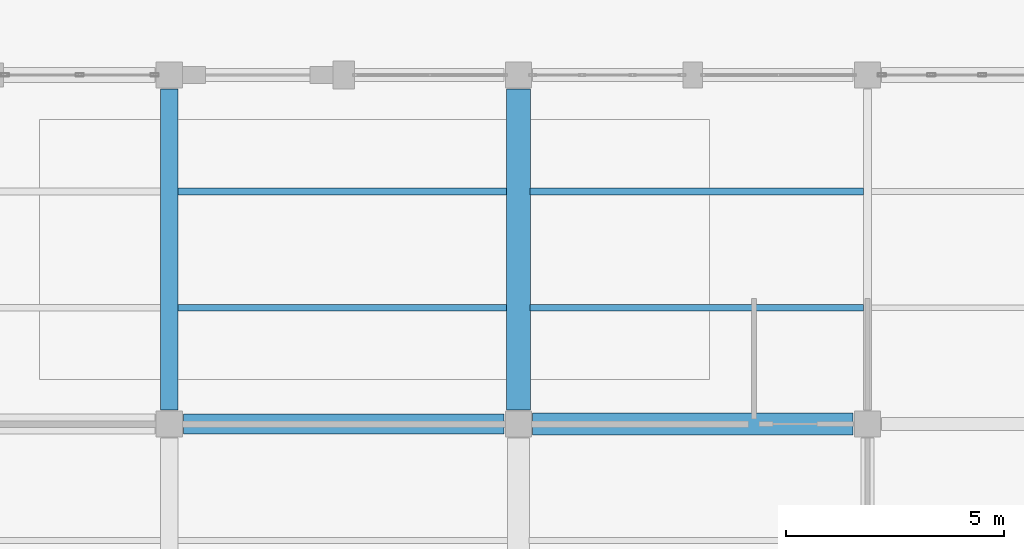
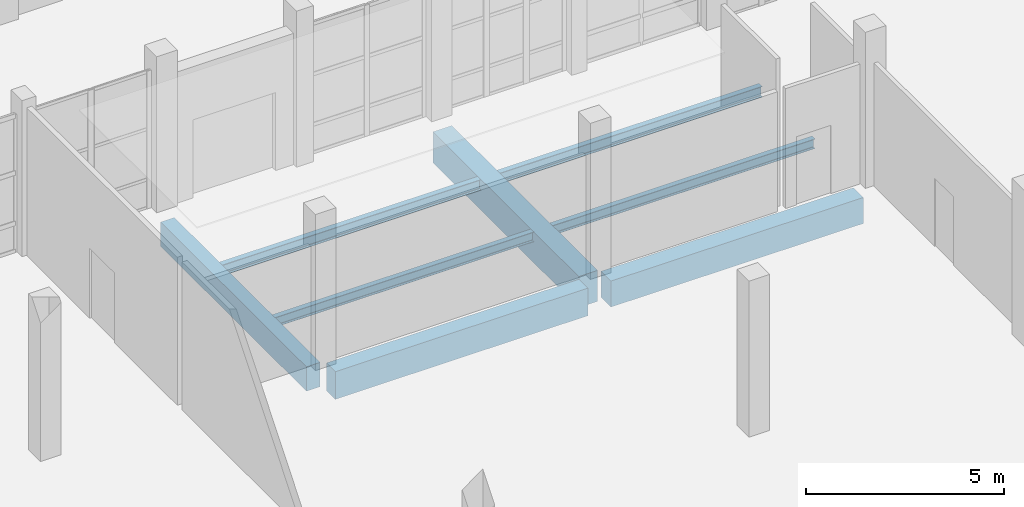
# One storey, part 66 of 156: 8 beams.
"""IFC4 building model written with IfcOpenShell, lengths in metres."""

from ifc_helpers import new_model, si_unit, direction, frame, origin, origin_2d, place, context, subcontext, project, spatial, rectangle, i_section, extrude, material, material_profile, profile_set, type_object, element, save


model = new_model("IFC4")

# Units and contexts
model_context = context("Model", 3, precision=1e-05, world=origin(), true_north=direction((0.0, 1.0)))
body_context = subcontext(model_context, "Body", "Model", "MODEL_VIEW")
ifc_project = project(units=[si_unit("LENGTHUNIT", "METRE"), si_unit("AREAUNIT", "SQUARE_METRE"), si_unit("VOLUMEUNIT", "CUBIC_METRE"), si_unit("PLANEANGLEUNIT", "RADIAN"), si_unit("MASSUNIT", "GRAM", prefix="KILO")], contexts=[model_context])

# Site, building, storey
site_placement = place(None, origin())
site = spatial("IfcSite", under=ifc_project, at=site_placement, CompositionType="ELEMENT")
building_placement = place(site_placement, origin())
building = spatial("IfcBuilding", under=site, at=building_placement, Name="Luwemba Playhouse", CompositionType="ELEMENT")
storey_placement = place(building_placement, origin())
storey = spatial("IfcBuildingStorey", under=building, at=storey_placement, Name="L00", CompositionType="ELEMENT", Elevation=0.0)

# Beams
ifc_material_1 = material(Name="Concrete C40/50", Category="concrete")
ifc_material_profile_1 = material_profile(ifc_material_1, rectangle(XDim=0.39990234375, YDim=0.75, at=origin_2d()))
ifc_profile_set_1 = profile_set([ifc_material_profile_1], Name="Concrete C40/50")
beam_type_1 = type_object("IfcBeamType", Name="BM-RB03", PredefinedType="BEAM", material=ifc_profile_set_1)
beam_1_placement = place(storey_placement, frame((148.0, 19.324951171875, -0.675048828125), z_axis=(0.0, 1.0, 0.0), x_axis=(-1.0, 0.0, 0.0)))
element("IfcBeam", 1, at=beam_1_placement, inside=storey, type_object=beam_type_1, Name="L00 transverse girder 0244", PredefinedType="BEAM", context=body_context, shape_type="SweptSolid", body=[
    extrude(rectangle(XDim=0.39990234375, YDim=0.75, at=origin_2d()), origin(), (0.0, 0.0, 1.0), 7.35009765625),
])
ifc_material_profile_2 = material_profile(ifc_material_1, rectangle(XDim=0.449951171875, YDim=0.85009765625, at=origin_2d()))
ifc_profile_set_2 = profile_set([ifc_material_profile_2], Name="Concrete C40/50")
beam_type_2 = type_object("IfcBeamType", Name="BM-RB05", PredefinedType="BEAM", material=ifc_profile_set_2)
beam_2_placement = place(storey_placement, frame((148.324951171875, 19.0, -0.72509765625), z_axis=(1.0, 0.0, 0.0), x_axis=(0.0, 1.0, 0.0)))
element("IfcBeam", 2, at=beam_2_placement, inside=storey, type_object=beam_type_2, Name="L00 grid girder 0220", PredefinedType="BEAM", context=body_context, shape_type="SweptSolid", body=[
    extrude(rectangle(XDim=0.449951171875, YDim=0.85009765625, at=origin_2d()), origin(), (0.0, 0.0, 1.0), 7.35009765625),
])
ifc_material_profile_3 = material_profile(ifc_material_1, rectangle(XDim=0.5, YDim=0.800048828125, at=origin_2d()))
ifc_profile_set_3 = profile_set([ifc_material_profile_3], Name="Concrete C40/50")
beam_type_3 = type_object("IfcBeamType", Name="BM-RB06", PredefinedType="BEAM", material=ifc_profile_set_3)
beam_3_placement = place(storey_placement, frame((156.324951171875, 19.0, -0.699951171875), z_axis=(1.0, 0.0, 0.0), x_axis=(0.0, 1.0, 0.0)))
element("IfcBeam", 3, at=beam_3_placement, inside=storey, type_object=beam_type_3, Name="L00 grid girder 0221", PredefinedType="BEAM", context=body_context, shape_type="SweptSolid", body=[
    extrude(rectangle(XDim=0.5, YDim=0.800048828125, at=origin_2d()), origin(), (0.0, 0.0, 1.0), 7.35009765625),
])
ifc_material_profile_4 = material_profile(ifc_material_1, rectangle(XDim=0.550048828125, YDim=0.949951171875, at=origin_2d()))
ifc_profile_set_4 = profile_set([ifc_material_profile_4], Name="Concrete C40/50")
beam_type_4 = type_object("IfcBeamType", Name="BM-RB08", PredefinedType="BEAM", material=ifc_profile_set_4)
beam_4_placement = place(storey_placement, frame((156.0, 19.324951171875, -0.77490234375), z_axis=(0.0, 1.0, 0.0), x_axis=(-1.0, 0.0, 0.0)))
element("IfcBeam", 4, at=beam_4_placement, inside=storey, type_object=beam_type_4, Name="L00 transverse girder 0247", PredefinedType="BEAM", context=body_context, shape_type="SweptSolid", body=[
    extrude(rectangle(XDim=0.550048828125, YDim=0.949951171875, at=origin_2d()), origin(), (0.0, 0.0, 1.0), 7.35009765625),
])
ifc_material_2 = material(Name="Steel S355", Category="steel")
ifc_material_profile_5 = material_profile(ifc_material_2, i_section(OverallWidth=0.14990234375, OverallDepth=0.300048828125, WebThickness=0.007080078125, FlangeThickness=0.0107421875, FilletRadius=0.014892578125, at=origin_2d()))
ifc_profile_set_5 = profile_set([ifc_material_profile_5], Name="Steel S355")
beam_type_5 = type_object("IfcBeamType", Name="BM-SJ05", PredefinedType="JOIST", material=ifc_profile_set_5)
beam_5_placement = place(storey_placement, frame((148.196044921875, 21.666748046875, -0.449951171875), z_axis=(1.0, 0.0, 0.0), x_axis=(0.0, 1.0, 0.0)))
element("IfcBeam", 5, at=beam_5_placement, inside=storey, type_object=beam_type_5, Name="L00 composite floor joist 0181", PredefinedType="JOIST", context=body_context, shape_type="SweptSolid", body=[
    extrude(i_section(OverallWidth=0.14990234375, OverallDepth=0.300048828125, WebThickness=0.007080078125, FlangeThickness=0.0107421875, FilletRadius=0.014892578125, at=origin_2d()), origin(), (0.0, 0.0, 1.0), 7.532958984375),
])
beam_6_placement = place(storey_placement, frame((156.27099609375, 21.666748046875, -0.449951171875), z_axis=(1.0, 0.0, 0.0), x_axis=(0.0, 1.0, 0.0)))
element("IfcBeam", 6, at=beam_6_placement, inside=storey, type_object=beam_type_5, Name="L00 composite floor joist 0187", PredefinedType="JOIST", context=body_context, shape_type="SweptSolid", body=[
    extrude(i_section(OverallWidth=0.14990234375, OverallDepth=0.300048828125, WebThickness=0.007080078125, FlangeThickness=0.0107421875, FilletRadius=0.014892578125, at=origin_2d()), origin(), (0.0, 0.0, 1.0), 7.637939453125),
])
ifc_material_profile_6 = material_profile(ifc_material_2, i_section(OverallWidth=0.159912109375, OverallDepth=0.330078125, WebThickness=0.007568359375, FlangeThickness=0.011474609375, FilletRadius=0.01806640625, at=origin_2d()))
ifc_profile_set_6 = profile_set([ifc_material_profile_6], Name="Steel S355")
beam_type_6 = type_object("IfcBeamType", Name="BM-SJ06", PredefinedType="JOIST", material=ifc_profile_set_6)
beam_7_placement = place(storey_placement, frame((148.196044921875, 24.333251953125, -0.465087890625), z_axis=(1.0, 0.0, 0.0), x_axis=(0.0, 1.0, 0.0)))
element("IfcBeam", 7, at=beam_7_placement, inside=storey, type_object=beam_type_6, Name="L00 composite floor joist 0182", PredefinedType="JOIST", context=body_context, shape_type="SweptSolid", body=[
    extrude(i_section(OverallWidth=0.159912109375, OverallDepth=0.330078125, WebThickness=0.007568359375, FlangeThickness=0.011474609375, FilletRadius=0.01806640625, at=origin_2d()), origin(), (0.0, 0.0, 1.0), 7.532958984375),
])
beam_8_placement = place(storey_placement, frame((156.27099609375, 24.333251953125, -0.465087890625), z_axis=(1.0, 0.0, 0.0), x_axis=(0.0, 1.0, 0.0)))
element("IfcBeam", 8, at=beam_8_placement, inside=storey, type_object=beam_type_6, Name="L00 composite floor joist 0188", PredefinedType="JOIST", context=body_context, shape_type="SweptSolid", body=[
    extrude(i_section(OverallWidth=0.159912109375, OverallDepth=0.330078125, WebThickness=0.007568359375, FlangeThickness=0.011474609375, FilletRadius=0.01806640625, at=origin_2d()), origin(), (0.0, 0.0, 1.0), 7.637939453125),
])

save(model, "model.ifc")
